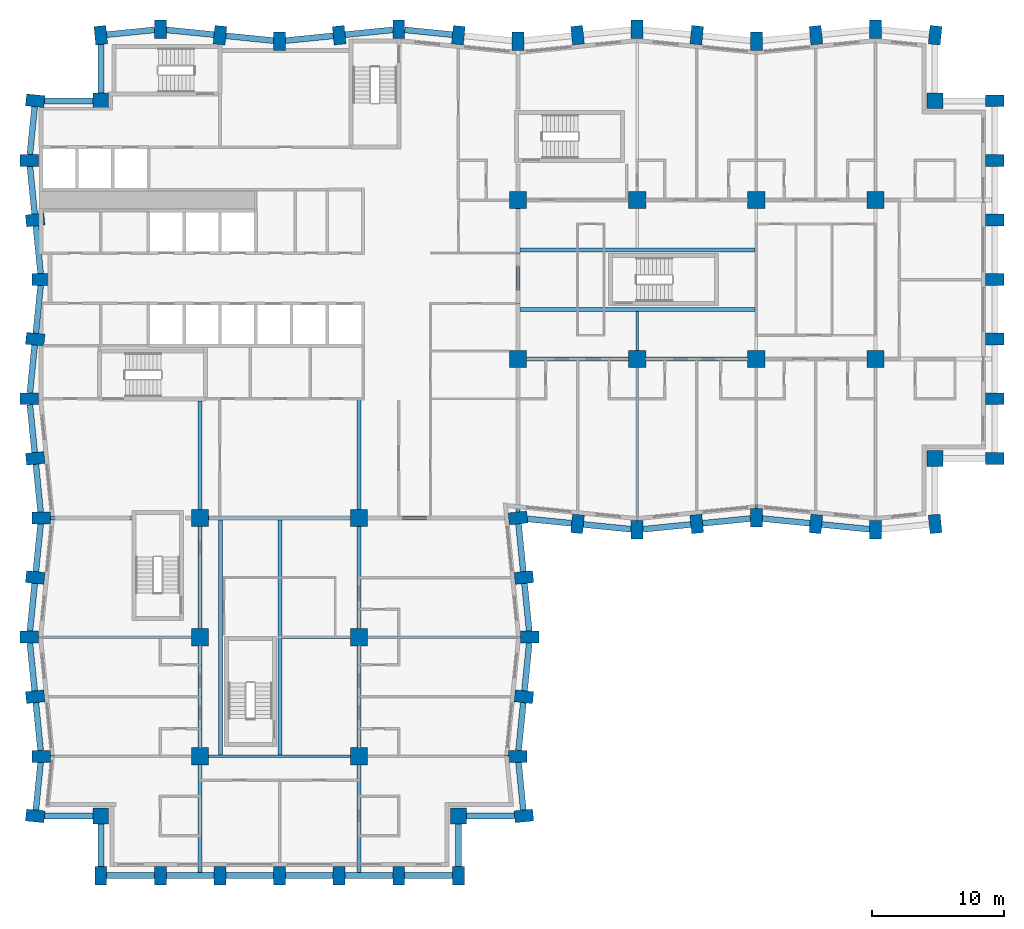
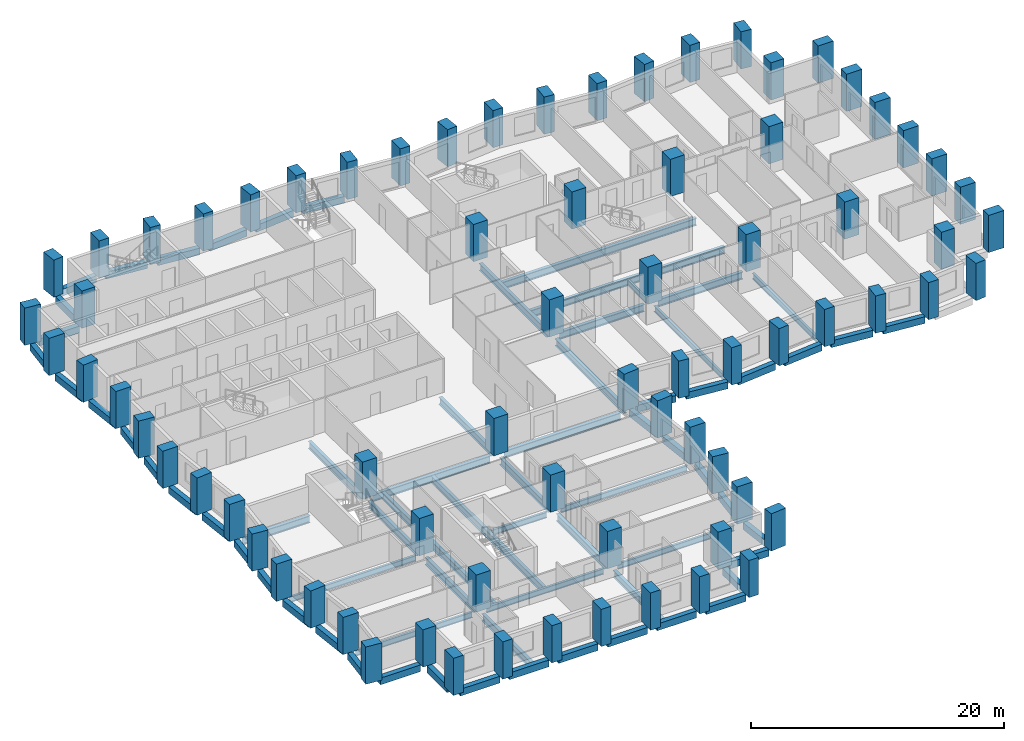
# One storey, part 1 of 13: 74 columns, 69 beams.
"""IFC4 building model written with IfcOpenShell, lengths in metres."""

from ifc_helpers import new_model, si_unit, direction, frame, origin, origin_2d, place, context, subcontext, project, spatial, rectangle, i_section, extrude, material, material_profile, profile_set, type_object, element, save


model = new_model("IFC4")

# Units and contexts
model_context = context("Model", 3, precision=1e-05, world=origin(), true_north=direction((0.0, 1.0)))
body_context = subcontext(model_context, "Body", "Model", "MODEL_VIEW")
ifc_project = project(units=[si_unit("LENGTHUNIT", "METRE"), si_unit("AREAUNIT", "SQUARE_METRE"), si_unit("VOLUMEUNIT", "CUBIC_METRE"), si_unit("PLANEANGLEUNIT", "RADIAN"), si_unit("MASSUNIT", "GRAM", prefix="KILO")], contexts=[model_context])

# Site, building, storey
site_placement = place(None, origin())
site = spatial("IfcSite", under=ifc_project, at=site_placement, CompositionType="ELEMENT")
building_placement = place(site_placement, origin())
building = spatial("IfcBuilding", under=site, at=building_placement, Name="Brondeck Convention Tower", CompositionType="ELEMENT")
storey_placement = place(building_placement, frame((0.0, 0.0, 44.699951171875)))
storey = spatial("IfcBuildingStorey", under=building, at=storey_placement, Name="L08", CompositionType="ELEMENT", Elevation=44.699951171875)

# Columns
ifc_material_1 = material(Name="Concrete C80/95", Category="concrete")
ifc_material_profile_1 = material_profile(ifc_material_1, rectangle(XDim=1.199951171875, YDim=1.199951171875, at=origin_2d()), Name="Corner column 1200x1200 Concrete C80/95")
ifc_profile_set_1 = profile_set([ifc_material_profile_1], Name="Concrete C80/95")
column_type_1 = type_object("IfcColumnType", Name="Corner column 1200x1200 Concrete C80/95", PredefinedType="COLUMN", material=ifc_profile_set_1)
for number, where, z_axis, x_axis, name in (
    (1, (4.5, 4.5, 0.0), (0.0, 0.0, 1.0), (1.0, 0.0, 0.0), "STR-COL-L08-NC-SWB0"),
    (2, (31.5, 4.5, 0.0), (0.0, 0.0, 1.0), (1.0, 0.0, 0.0), "STR-COL-L08-NC-SEB0"),
    (3, (67.5, 31.5, 0.0), (0.0, 0.0, 1.0), (1.0, 0.0, 0.0), "STR-COL-L08-NC-SEA72"),
    (4, (67.5, 58.5, 0.0), (0.0, 0.0, 1.0), (1.0, 0.0, 0.0), "STR-COL-L08-NC-NEA72"),
    (5, (4.5, 58.5, 0.0), (0.0, 0.0, 1.0), (1.0, 0.0, 0.0), "STR-COL-L08-NC-NW"),
):
    element("IfcColumn", number, at=place(storey_placement, frame(where, z_axis=z_axis, x_axis=x_axis)), inside=storey, type_object=column_type_1, Name=name, PredefinedType="COLUMN", context=body_context, shape_type="SweptSolid", body=[
        extrude(rectangle(XDim=1.199951171875, YDim=1.199951171875, at=origin_2d()), origin(), (0.0, 0.0, 1.0), 3.60009765625),
    ])
ifc_material_profile_2 = material_profile(ifc_material_1, rectangle(XDim=1.300048828125, YDim=1.300048828125, at=origin_2d()), Name="Interior column 1300x1300 Concrete C80/95")
ifc_profile_set_2 = profile_set([ifc_material_profile_2], Name="Concrete C80/95")
column_type_2 = type_object("IfcColumnType", Name="Interior column 1300x1300 Concrete C80/95", PredefinedType="COLUMN", material=ifc_profile_set_2)
for number, where, z_axis, x_axis, name in (
    (6, (12.0, 9.0, 0.0), (0.0, 0.0, 1.0), (1.0, 0.0, 0.0), "STR-COL-L08-IC-01"),
    (7, (12.0, 18.0, 0.0), (0.0, 0.0, 1.0), (1.0, 0.0, 0.0), "STR-COL-L08-IC-02"),
    (8, (12.0, 27.0, 0.0), (0.0, 0.0, 1.0), (1.0, 0.0, 0.0), "STR-COL-L08-IC-03"),
    (9, (24.0, 9.0, 0.0), (0.0, 0.0, 1.0), (1.0, 0.0, 0.0), "STR-COL-L08-IC-04"),
    (10, (24.0, 18.0, 0.0), (0.0, 0.0, 1.0), (1.0, 0.0, 0.0), "STR-COL-L08-IC-05"),
    (11, (24.0, 27.0, 0.0), (0.0, 0.0, 1.0), (1.0, 0.0, 0.0), "STR-COL-L08-IC-06"),
    (12, (36.0, 39.0, 0.0), (0.0, 0.0, 1.0), (1.0, 0.0, 0.0), "STR-COL-L08-IC-07"),
    (13, (36.0, 51.0, 0.0), (0.0, 0.0, 1.0), (1.0, 0.0, 0.0), "STR-COL-L08-IC-08"),
    (14, (45.0, 39.0, 0.0), (0.0, 0.0, 1.0), (1.0, 0.0, 0.0), "STR-COL-L08-IC-09"),
    (15, (45.0, 51.0, 0.0), (0.0, 0.0, 1.0), (1.0, 0.0, 0.0), "STR-COL-L08-IC-10"),
    (16, (54.0, 39.0, 0.0), (0.0, 0.0, 1.0), (1.0, 0.0, 0.0), "STR-COL-L08-IC-11"),
    (17, (54.0, 51.0, 0.0), (0.0, 0.0, 1.0), (1.0, 0.0, 0.0), "STR-COL-L08-IC-12"),
    (18, (63.0, 39.0, 0.0), (0.0, 0.0, 1.0), (1.0, 0.0, 0.0), "STR-COL-L08-IC-13"),
    (19, (63.0, 51.0, 0.0), (0.0, 0.0, 1.0), (1.0, 0.0, 0.0), "STR-COL-L08-IC-14"),
):
    element("IfcColumn", number, at=place(storey_placement, frame(where, z_axis=z_axis, x_axis=x_axis)), inside=storey, type_object=column_type_2, Name=name, PredefinedType="COLUMN", context=body_context, shape_type="SweptSolid", body=[
        extrude(rectangle(XDim=1.300048828125, YDim=1.300048828125, at=origin_2d()), origin(), (0.0, 0.0, 1.0), 3.60009765625),
    ])
ifc_material_profile_3 = material_profile(ifc_material_1, rectangle(XDim=0.89990234375, YDim=1.39990234375, at=origin_2d()), Name="Perimeter pier 900x1400 Concrete C80/95")
ifc_profile_set_3 = profile_set([ifc_material_profile_3], Name="Concrete C80/95")
column_type_3 = type_object("IfcColumnType", Name="Perimeter pier 900x1400 Concrete C80/95", PredefinedType="COLUMN", material=ifc_profile_set_3)
for number, where, z_axis, x_axis, name in (
    (20, (4.5, 0.0, 0.0), (0.0, 0.0, 1.0), (1.0, 0.0, 0.0), "STR-COL-L08-PC-B-S0-01"),
    (21, (9.0, 0.0, 0.0), (0.0, 0.0, 1.0), (1.0, 0.0, 0.0), "STR-COL-L08-PC-B-S0-02"),
    (22, (13.5, 0.0, 0.0), (0.0, 0.0, 1.0), (1.0, 0.0, 0.0), "STR-COL-L08-PC-B-S0-03"),
    (23, (18.0, 0.0, 0.0), (0.0, 0.0, 1.0), (1.0, 0.0, 0.0), "STR-COL-L08-PC-B-S0-04"),
    (24, (22.5, 0.0, 0.0), (0.0, 0.0, 1.0), (1.0, 0.0, 0.0), "STR-COL-L08-PC-B-S0-05"),
    (25, (27.0, 0.0, 0.0), (0.0, 0.0, 1.0), (1.0, 0.0, 0.0), "STR-COL-L08-PC-B-S0-06"),
    (26, (31.5, 0.0, 0.0), (0.0, 0.0, 1.0), (1.0, 0.0, 0.0), "STR-COL-L08-PC-B-S0-07"),
    (27, (36.449951171875, 4.5, 0.0), (0.0, 0.0, 1.0), (-0.0995038382, 0.995037178292, 0.0), "STR-COL-L08-PC-B-E-05"),
    (28, (36.0, 9.0, 0.0), (0.0, 0.0, 1.0), (0.0, 1.0, 0.0), "STR-COL-L08-PC-B-E-04"),
    (29, (36.449951171875, 13.5, 0.0), (0.0, 0.0, 1.0), (0.0995038382, 0.995037178292, 0.0), "STR-COL-L08-PC-B-E-03"),
    (30, (36.89990234375, 18.0, 0.0), (0.0, 0.0, 1.0), (0.0, 1.0, 0.0), "STR-COL-L08-PC-B-E-02"),
    (31, (36.449951171875, 22.5, 0.0), (0.0, 0.0, 1.0), (-0.0995038382, 0.995037178292, 0.0), "STR-COL-L08-PC-B-E-01"),
    (32, (36.0, 27.0, 0.0), (0.0, 0.0, 1.0), (-0.0995038382, 0.995037178292, 0.0), "STR-COL-L08-PC-B-E-00"),
    (33, (40.5, 26.550048828125, 0.0), (0.0, 0.0, 1.0), (0.995037178292, -0.0995038382, 0.0), "STR-COL-L08-PC-A-S-01"),
    (34, (45.0, 26.10009765625, 0.0), (0.0, 0.0, 1.0), (1.0, 0.0, 0.0), "STR-COL-L08-PC-A-S-02"),
    (35, (49.5, 26.550048828125, 0.0), (0.0, 0.0, 1.0), (0.995037178292, 0.0995038382, 0.0), "STR-COL-L08-PC-A-S-03"),
    (36, (54.0, 27.0, 0.0), (0.0, 0.0, 1.0), (1.0, 0.0, 0.0), "STR-COL-L08-PC-A-S-04"),
    (37, (58.5, 26.550048828125, 0.0), (0.0, 0.0, 1.0), (0.995037178292, -0.0995038382, 0.0), "STR-COL-L08-PC-A-S-05"),
    (38, (63.0, 26.10009765625, 0.0), (0.0, 0.0, 1.0), (1.0, 0.0, 0.0), "STR-COL-L08-PC-A-S-06"),
    (39, (67.5, 26.550048828125, 0.0), (0.0, 0.0, 1.0), (0.995037178292, 0.0995038382, 0.0), "STR-COL-L08-PC-A-S-07"),
    (40, (72.0, 31.5, 0.0), (0.0, 0.0, 1.0), (0.0, 1.0, 0.0), "STR-COL-L08-PC-A-E72-01"),
    (41, (72.0, 36.0, 0.0), (0.0, 0.0, 1.0), (0.0, 1.0, 0.0), "STR-COL-L08-PC-A-E72-02"),
    (42, (72.0, 40.5, 0.0), (0.0, 0.0, 1.0), (0.0, 1.0, 0.0), "STR-COL-L08-PC-A-E72-03"),
    (43, (72.0, 45.0, 0.0), (0.0, 0.0, 1.0), (0.0, 1.0, 0.0), "STR-COL-L08-PC-A-E72-04"),
    (44, (72.0, 49.5, 0.0), (0.0, 0.0, 1.0), (0.0, 1.0, 0.0), "STR-COL-L08-PC-A-E72-05"),
    (45, (72.0, 54.0, 0.0), (0.0, 0.0, 1.0), (0.0, 1.0, 0.0), "STR-COL-L08-PC-A-E72-06"),
    (46, (72.0, 58.5, 0.0), (0.0, 0.0, 1.0), (0.0, 1.0, 0.0), "STR-COL-L08-PC-A-E72-07"),
    (47, (67.5, 63.449951171875, 0.0), (0.0, 0.0, 1.0), (-0.995037178292, 0.0995038382, 0.0), "STR-COL-L08-PC-A-N-15"),
    (48, (63.0, 63.89990234375, 0.0), (0.0, 0.0, 1.0), (-1.0, 0.0, 0.0), "STR-COL-L08-PC-A-N-14"),
    (49, (58.5, 63.449951171875, 0.0), (0.0, 0.0, 1.0), (-0.995037178292, -0.0995038382, 0.0), "STR-COL-L08-PC-A-N-13"),
    (50, (54.0, 63.0, 0.0), (0.0, 0.0, 1.0), (-1.0, 0.0, 0.0), "STR-COL-L08-PC-A-N-12"),
    (51, (49.5, 63.449951171875, 0.0), (0.0, 0.0, 1.0), (-0.995037178292, 0.0995038382, 0.0), "STR-COL-L08-PC-A-N-11"),
    (52, (45.0, 63.89990234375, 0.0), (0.0, 0.0, 1.0), (-1.0, 0.0, 0.0), "STR-COL-L08-PC-A-N-10"),
    (53, (40.5, 63.449951171875, 0.0), (0.0, 0.0, 1.0), (-0.995037178292, -0.0995038382, 0.0), "STR-COL-L08-PC-A-N-09"),
    (54, (36.0, 63.0, 0.0), (0.0, 0.0, 1.0), (-1.0, 0.0, 0.0), "STR-COL-L08-PC-A-N-08"),
    (55, (31.5, 63.449951171875, 0.0), (0.0, 0.0, 1.0), (-0.995037178292, 0.0995038382, 0.0), "STR-COL-L08-PC-A-N-07"),
    (56, (27.0, 63.89990234375, 0.0), (0.0, 0.0, 1.0), (-1.0, 0.0, 0.0), "STR-COL-L08-PC-A-N-06"),
    (57, (22.5, 63.449951171875, 0.0), (0.0, 0.0, 1.0), (-0.995037178292, -0.0995038382, 0.0), "STR-COL-L08-PC-A-N-05"),
    (58, (18.0, 63.0, 0.0), (0.0, 0.0, 1.0), (-1.0, 0.0, 0.0), "STR-COL-L08-PC-A-N-04"),
    (59, (13.5, 63.449951171875, 0.0), (0.0, 0.0, 1.0), (-0.995037178292, 0.0995038382, 0.0), "STR-COL-L08-PC-A-N-03"),
    (60, (9.0, 63.89990234375, 0.0), (0.0, 0.0, 1.0), (-1.0, 0.0, 0.0), "STR-COL-L08-PC-A-N-02"),
    (61, (4.5, 63.449951171875, 0.0), (0.0, 0.0, 1.0), (-0.995037178292, -0.0995038382, 0.0), "STR-COL-L08-PC-A-N-01"),
    (62, (-0.449951171875, 58.5, 0.0), (0.0, 0.0, 1.0), (-0.0995038382, -0.995037178292, 0.0), "STR-COL-L08-PC-B-W-01"),
    (63, (-0.89990234375, 54.0, 0.0), (0.0, 0.0, 1.0), (0.0, -1.0, 0.0), "STR-COL-L08-PC-B-W-02"),
    (64, (-0.449951171875, 49.5, 0.0), (0.0, 0.0, 1.0), (0.0995038382, -0.995037178292, 0.0), "STR-COL-L08-PC-B-W-03"),
    (65, (0.0, 45.0, 0.0), (0.0, 0.0, 1.0), (0.0, -1.0, 0.0), "STR-COL-L08-PC-B-W-04"),
    (66, (-0.449951171875, 40.5, 0.0), (0.0, 0.0, 1.0), (-0.0995038382, -0.995037178292, 0.0), "STR-COL-L08-PC-B-W-05"),
    (67, (-0.89990234375, 36.0, 0.0), (0.0, 0.0, 1.0), (0.0, -1.0, 0.0), "STR-COL-L08-PC-B-W-06"),
    (68, (-0.449951171875, 31.5, 0.0), (0.0, 0.0, 1.0), (0.0995038382, -0.995037178292, 0.0), "STR-COL-L08-PC-B-W-07"),
    (69, (0.0, 27.0, 0.0), (0.0, 0.0, 1.0), (0.0, -1.0, 0.0), "STR-COL-L08-PC-B-W-08"),
    (70, (-0.449951171875, 22.5, 0.0), (0.0, 0.0, 1.0), (-0.0995038382, -0.995037178292, 0.0), "STR-COL-L08-PC-B-W-09"),
    (71, (-0.89990234375, 18.0, 0.0), (0.0, 0.0, 1.0), (0.0, -1.0, 0.0), "STR-COL-L08-PC-B-W-10"),
    (72, (-0.449951171875, 13.5, 0.0), (0.0, 0.0, 1.0), (0.0995038382, -0.995037178292, 0.0), "STR-COL-L08-PC-B-W-11"),
    (73, (0.0, 9.0, 0.0), (0.0, 0.0, 1.0), (0.0, -1.0, 0.0), "STR-COL-L08-PC-B-W-12"),
    (74, (-0.449951171875, 4.5, 0.0), (0.0, 0.0, 1.0), (-0.0995038382, -0.995037178292, 0.0), "STR-COL-L08-PC-B-W-13"),
):
    element("IfcColumn", number, at=place(storey_placement, frame(where, z_axis=z_axis, x_axis=x_axis)), inside=storey, type_object=column_type_3, Name=name, PredefinedType="COLUMN", context=body_context, shape_type="SweptSolid", body=[
        extrude(rectangle(XDim=0.89990234375, YDim=1.39990234375, at=origin_2d()), origin(), (0.0, 0.0, 1.0), 3.60009765625),
    ])

# Beams
ifc_material_2 = material(Name="Steel S355", Category="steel")
ifc_material_profile_4 = material_profile(ifc_material_2, i_section(OverallWidth=0.2099609375, OverallDepth=0.550048828125, WebThickness=0.010986328125, FlangeThickness=0.01708984375, FilletRadius=0.02392578125, at=origin_2d()), Name="IPE 550")
ifc_profile_set_4 = profile_set([ifc_material_profile_4], Name="Steel S355")
beam_type_1 = type_object("IfcBeamType", Name="Floor beam IPE 550", PredefinedType="BEAM", material=ifc_profile_set_4)
beam_1_placement = place(storey_placement, frame((45.0, 26.800048828125, -0.574951171875), z_axis=(0.0, 1.0, 0.0), x_axis=(-1.0, 0.0, 0.0)))
element("IfcBeam", 75, at=beam_1_placement, inside=storey, type_object=beam_type_1, Name="STR-FB-L08-001", PredefinedType="BEAM", context=body_context, shape_type="SweptSolid", body=[
    extrude(i_section(OverallWidth=0.2099609375, OverallDepth=0.550048828125, WebThickness=0.010986328125, FlangeThickness=0.01708984375, FilletRadius=0.02392578125, at=origin_2d()), origin(), (0.0, 0.0, 1.0), 11.550048828125),
])
for number, where, z_axis, x_axis, name in (
    (76, (54.0, 27.699951171875, -0.574951171875), (0.0, 1.0, 0.0), (-1.0, 0.0, 0.0), "STR-FB-L08-003"),
    (77, (0.699951171875, 9.0, -0.574951171875), (1.0, 0.0, 0.0), (0.0, 1.0, 0.0), "STR-FB-L08-009"),
):
    element("IfcBeam", number, at=place(storey_placement, frame(where, z_axis=z_axis, x_axis=x_axis)), inside=storey, type_object=beam_type_1, Name=name, PredefinedType="BEAM", context=body_context, shape_type="SweptSolid", body=[
        extrude(i_section(OverallWidth=0.2099609375, OverallDepth=0.550048828125, WebThickness=0.010986328125, FlangeThickness=0.01708984375, FilletRadius=0.02392578125, at=origin_2d()), origin(), (0.0, 0.0, 1.0), 10.650146484375),
    ])
beam_2_placement = place(storey_placement, frame((12.64990234375, 9.0, -0.574951171875), z_axis=(1.0, 0.0, 0.0), x_axis=(0.0, 1.0, 0.0)))
element("IfcBeam", 78, at=beam_2_placement, inside=storey, type_object=beam_type_1, Name="STR-FB-L08-010", PredefinedType="BEAM", context=body_context, shape_type="SweptSolid", body=[
    extrude(i_section(OverallWidth=0.2099609375, OverallDepth=0.550048828125, WebThickness=0.010986328125, FlangeThickness=0.01708984375, FilletRadius=0.02392578125, at=origin_2d()), origin(), (0.0, 0.0, 1.0), 10.7001953125),
])
beam_3_placement = place(storey_placement, frame((24.64990234375, 9.0, -0.574951171875), z_axis=(1.0, 0.0, 0.0), x_axis=(0.0, 1.0, 0.0)))
element("IfcBeam", 79, at=beam_3_placement, inside=storey, type_object=beam_type_1, Name="STR-FB-L08-011", PredefinedType="BEAM", context=body_context, shape_type="SweptSolid", body=[
    extrude(i_section(OverallWidth=0.2099609375, OverallDepth=0.550048828125, WebThickness=0.010986328125, FlangeThickness=0.01708984375, FilletRadius=0.02392578125, at=origin_2d()), origin(), (0.0, 0.0, 1.0), 10.650146484375),
])
for number, where, z_axis, x_axis, name in (
    (80, (-0.199951171875, 18.0, -0.574951171875), (1.0, 0.0, 0.0), (0.0, 1.0, 0.0), "STR-FB-L08-012"),
    (81, (24.64990234375, 18.0, -0.574951171875), (1.0, 0.0, 0.0), (0.0, 1.0, 0.0), "STR-FB-L08-013"),
):
    element("IfcBeam", number, at=place(storey_placement, frame(where, z_axis=z_axis, x_axis=x_axis)), inside=storey, type_object=beam_type_1, Name=name, PredefinedType="BEAM", context=body_context, shape_type="SweptSolid", body=[
        extrude(i_section(OverallWidth=0.2099609375, OverallDepth=0.550048828125, WebThickness=0.010986328125, FlangeThickness=0.01708984375, FilletRadius=0.02392578125, at=origin_2d()), origin(), (0.0, 0.0, 1.0), 11.550048828125),
    ])
beam_4_placement = place(storey_placement, frame((45.0, 39.64990234375, -0.574951171875), z_axis=(0.0, 1.0, 0.0), x_axis=(-1.0, 0.0, 0.0)))
element("IfcBeam", 82, at=beam_4_placement, inside=storey, type_object=beam_type_1, Name="STR-FB-L08-014", PredefinedType="BEAM", context=body_context, shape_type="SweptSolid", body=[
    extrude(i_section(OverallWidth=0.2099609375, OverallDepth=0.550048828125, WebThickness=0.010986328125, FlangeThickness=0.01708984375, FilletRadius=0.02392578125, at=origin_2d()), origin(), (0.0, 0.0, 1.0), 2.9501953125),
])
beam_5_placement = place(storey_placement, frame((18.199951171875, 18.0, -0.574951171875), z_axis=(1.0, 0.0, 0.0), x_axis=(0.0, 1.0, 0.0)))
element("IfcBeam", 83, at=beam_5_placement, inside=storey, type_object=beam_type_1, Name="STR-FB-L08-016", PredefinedType="BEAM", context=body_context, shape_type="SweptSolid", body=[
    extrude(i_section(OverallWidth=0.2099609375, OverallDepth=0.550048828125, WebThickness=0.010986328125, FlangeThickness=0.01708984375, FilletRadius=0.02392578125, at=origin_2d()), origin(), (0.0, 0.0, 1.0), 5.150146484375),
])
ifc_material_profile_5 = material_profile(ifc_material_2, i_section(OverallWidth=0.300048828125, OverallDepth=0.699951171875, WebThickness=0.01708984375, FlangeThickness=0.031982421875, FilletRadius=0.027099609375, at=origin_2d()), Name="HEB 700")
ifc_profile_set_5 = profile_set([ifc_material_profile_5], Name="Steel S355")
beam_type_2 = type_object("IfcBeamType", Name="Girder HEB 700", PredefinedType="BEAM", material=ifc_profile_set_5)
for number, where, z_axis, x_axis, name in (
    (84, (36.64990234375, 39.0, -0.64990234375), (1.0, 0.0, 0.0), (0.0, 1.0, 0.0), "STR-GR-L08-001"),
    (85, (45.64990234375, 39.0, -0.64990234375), (1.0, 0.0, 0.0), (0.0, 1.0, 0.0), "STR-GR-L08-002"),
):
    element("IfcBeam", number, at=place(storey_placement, frame(where, z_axis=z_axis, x_axis=x_axis)), inside=storey, type_object=beam_type_2, Name=name, PredefinedType="BEAM", context=body_context, shape_type="SweptSolid", body=[
        extrude(i_section(OverallWidth=0.300048828125, OverallDepth=0.699951171875, WebThickness=0.01708984375, FlangeThickness=0.031982421875, FilletRadius=0.027099609375, at=origin_2d()), origin(), (0.0, 0.0, 1.0), 7.7001953125),
    ])
beam_6_placement = place(storey_placement, frame((36.0, 27.4521484375, -0.64990234375), z_axis=(0.0, 1.0, 0.0), x_axis=(-1.0, 0.0, 0.0)))
element("IfcBeam", 86, at=beam_6_placement, inside=storey, type_object=beam_type_2, Name="STR-GR-L08-009", PredefinedType="BEAM", context=body_context, shape_type="SweptSolid", body=[
    extrude(i_section(OverallWidth=0.300048828125, OverallDepth=0.699951171875, WebThickness=0.01708984375, FlangeThickness=0.031982421875, FilletRadius=0.027099609375, at=origin_2d()), origin(), (0.0, 0.0, 1.0), 10.89794921875),
])
beam_7_placement = place(storey_placement, frame((36.0, 39.64990234375, -0.64990234375), z_axis=(0.0, 1.0, 0.0), x_axis=(-1.0, 0.0, 0.0)))
element("IfcBeam", 87, at=beam_7_placement, inside=storey, type_object=beam_type_2, Name="STR-GR-L08-010", PredefinedType="BEAM", context=body_context, shape_type="SweptSolid", body=[
    extrude(i_section(OverallWidth=0.300048828125, OverallDepth=0.699951171875, WebThickness=0.01708984375, FlangeThickness=0.031982421875, FilletRadius=0.027099609375, at=origin_2d()), origin(), (0.0, 0.0, 1.0), 10.7001953125),
])
beam_8_placement = place(storey_placement, frame((12.0, 35.85009765625, -0.64990234375), z_axis=(0.0, -1.0, 0.0), x_axis=(1.0, 0.0, 0.0)))
element("IfcBeam", 88, at=beam_8_placement, inside=storey, type_object=beam_type_2, Name="STR-GR-L08-013", PredefinedType="BEAM", context=body_context, shape_type="SweptSolid", body=[
    extrude(i_section(OverallWidth=0.300048828125, OverallDepth=0.699951171875, WebThickness=0.01708984375, FlangeThickness=0.031982421875, FilletRadius=0.027099609375, at=origin_2d()), origin(), (0.0, 0.0, 1.0), 8.2001953125),
])
for number, where, z_axis, x_axis, name in (
    (89, (12.0, 26.35009765625, -0.64990234375), (0.0, -1.0, 0.0), (1.0, 0.0, 0.0), "STR-GR-L08-014"),
    (90, (12.0, 17.35009765625, -0.64990234375), (0.0, -1.0, 0.0), (1.0, 0.0, 0.0), "STR-GR-L08-015"),
):
    element("IfcBeam", number, at=place(storey_placement, frame(where, z_axis=z_axis, x_axis=x_axis)), inside=storey, type_object=beam_type_2, Name=name, PredefinedType="BEAM", context=body_context, shape_type="SweptSolid", body=[
        extrude(i_section(OverallWidth=0.300048828125, OverallDepth=0.699951171875, WebThickness=0.01708984375, FlangeThickness=0.031982421875, FilletRadius=0.027099609375, at=origin_2d()), origin(), (0.0, 0.0, 1.0), 7.7001953125),
    ])
beam_9_placement = place(storey_placement, frame((12.0, 8.35009765625, -0.64990234375), z_axis=(0.0, -1.0, 0.0), x_axis=(1.0, 0.0, 0.0)))
element("IfcBeam", 91, at=beam_9_placement, inside=storey, type_object=beam_type_2, Name="STR-GR-L08-016", PredefinedType="BEAM", context=body_context, shape_type="SweptSolid", body=[
    extrude(i_section(OverallWidth=0.300048828125, OverallDepth=0.699951171875, WebThickness=0.01708984375, FlangeThickness=0.031982421875, FilletRadius=0.027099609375, at=origin_2d()), origin(), (0.0, 0.0, 1.0), 8.125),
])
beam_10_placement = place(storey_placement, frame((24.0, 35.955078125, -0.64990234375), z_axis=(0.0, -1.0, 0.0), x_axis=(1.0, 0.0, 0.0)))
element("IfcBeam", 92, at=beam_10_placement, inside=storey, type_object=beam_type_2, Name="STR-GR-L08-017", PredefinedType="BEAM", context=body_context, shape_type="SweptSolid", body=[
    extrude(i_section(OverallWidth=0.300048828125, OverallDepth=0.699951171875, WebThickness=0.01708984375, FlangeThickness=0.031982421875, FilletRadius=0.027099609375, at=origin_2d()), origin(), (0.0, 0.0, 1.0), 8.30517578125),
])
for number, where, z_axis, x_axis, name in (
    (93, (24.0, 26.35009765625, -0.64990234375), (0.0, -1.0, 0.0), (1.0, 0.0, 0.0), "STR-GR-L08-018"),
    (94, (24.0, 17.35009765625, -0.64990234375), (0.0, -1.0, 0.0), (1.0, 0.0, 0.0), "STR-GR-L08-019"),
):
    element("IfcBeam", number, at=place(storey_placement, frame(where, z_axis=z_axis, x_axis=x_axis)), inside=storey, type_object=beam_type_2, Name=name, PredefinedType="BEAM", context=body_context, shape_type="SweptSolid", body=[
        extrude(i_section(OverallWidth=0.300048828125, OverallDepth=0.699951171875, WebThickness=0.01708984375, FlangeThickness=0.031982421875, FilletRadius=0.027099609375, at=origin_2d()), origin(), (0.0, 0.0, 1.0), 7.7001953125),
    ])
beam_11_placement = place(storey_placement, frame((24.0, 8.35009765625, -0.64990234375), z_axis=(0.0, -1.0, 0.0), x_axis=(1.0, 0.0, 0.0)))
element("IfcBeam", 95, at=beam_11_placement, inside=storey, type_object=beam_type_2, Name="STR-GR-L08-020", PredefinedType="BEAM", context=body_context, shape_type="SweptSolid", body=[
    extrude(i_section(OverallWidth=0.300048828125, OverallDepth=0.699951171875, WebThickness=0.01708984375, FlangeThickness=0.031982421875, FilletRadius=0.027099609375, at=origin_2d()), origin(), (0.0, 0.0, 1.0), 8.125),
])
beam_12_placement = place(storey_placement, frame((0.699951171875, 27.0, -0.64990234375), z_axis=(1.0, 0.0, 0.0), x_axis=(0.0, 1.0, 0.0)))
element("IfcBeam", 96, at=beam_12_placement, inside=storey, type_object=beam_type_2, Name="STR-GR-L08-021", PredefinedType="BEAM", context=body_context, shape_type="SweptSolid", body=[
    extrude(i_section(OverallWidth=0.300048828125, OverallDepth=0.699951171875, WebThickness=0.01708984375, FlangeThickness=0.031982421875, FilletRadius=0.027099609375, at=origin_2d()), origin(), (0.0, 0.0, 1.0), 6.179931640625),
])
beam_13_placement = place(storey_placement, frame((12.64990234375, 27.0, -0.64990234375), z_axis=(1.0, 0.0, 0.0), x_axis=(0.0, 1.0, 0.0)))
element("IfcBeam", 97, at=beam_13_placement, inside=storey, type_object=beam_type_2, Name="STR-GR-L08-022", PredefinedType="BEAM", context=body_context, shape_type="SweptSolid", body=[
    extrude(i_section(OverallWidth=0.300048828125, OverallDepth=0.699951171875, WebThickness=0.01708984375, FlangeThickness=0.031982421875, FilletRadius=0.027099609375, at=origin_2d()), origin(), (0.0, 0.0, 1.0), 10.7001953125),
])
beam_14_placement = place(storey_placement, frame((24.64990234375, 27.0, -0.64990234375), z_axis=(1.0, 0.0, 0.0), x_axis=(0.0, 1.0, 0.0)))
element("IfcBeam", 98, at=beam_14_placement, inside=storey, type_object=beam_type_2, Name="STR-GR-L08-023", PredefinedType="BEAM", context=body_context, shape_type="SweptSolid", body=[
    extrude(i_section(OverallWidth=0.300048828125, OverallDepth=0.699951171875, WebThickness=0.01708984375, FlangeThickness=0.031982421875, FilletRadius=0.027099609375, at=origin_2d()), origin(), (0.0, 0.0, 1.0), 10.646484375),
])
for number, where, z_axis, x_axis, name in (
    (99, (36.14990234375, 42.75, -0.64990234375), (1.0, 0.0, 0.0), (0.0, 1.0, 0.0), "STR-GR-L08-024"),
    (100, (36.14990234375, 47.25, -0.64990234375), (1.0, 0.0, 0.0), (0.0, 1.0, 0.0), "STR-GR-L08-025"),
    (101, (13.550048828125, 9.10498046875, -0.64990234375), (0.0, 1.0, 0.0), (-1.0, 0.0, 0.0), "STR-GR-L08-026"),
    (102, (18.050048828125, 9.10498046875, -0.64990234375), (0.0, 1.0, 0.0), (-1.0, 0.0, 0.0), "STR-GR-L08-027"),
):
    element("IfcBeam", number, at=place(storey_placement, frame(where, z_axis=z_axis, x_axis=x_axis)), inside=storey, type_object=beam_type_2, Name=name, PredefinedType="BEAM", context=body_context, shape_type="SweptSolid", body=[
        extrude(i_section(OverallWidth=0.300048828125, OverallDepth=0.699951171875, WebThickness=0.01708984375, FlangeThickness=0.031982421875, FilletRadius=0.027099609375, at=origin_2d()), origin(), (0.0, 0.0, 1.0), 17.7451171875),
    ])
ifc_material_profile_6 = material_profile(ifc_material_1, rectangle(XDim=0.449951171875, YDim=0.64990234375, at=origin_2d()), Name="Precast spandrel 450x650 Concrete C80/95")
ifc_profile_set_6 = profile_set([ifc_material_profile_6], Name="Concrete C80/95")
beam_type_3 = type_object("IfcBeamType", Name="Precast spandrel 450x650 Concrete C80/95", PredefinedType="SPANDREL", material=ifc_profile_set_6)
for number, where, z_axis, x_axis, name in (
    (103, (4.949951171875, 0.0, -0.324951171875), (1.0, 0.0, 0.0), (0.0, 1.0, 0.0), "STR-SP-L08-001"),
    (104, (9.449951171875, 0.0, -0.324951171875), (1.0, 0.0, 0.0), (0.0, 1.0, 0.0), "STR-SP-L08-002"),
    (105, (13.949951171875, 0.0, -0.324951171875), (1.0, 0.0, 0.0), (0.0, 1.0, 0.0), "STR-SP-L08-003"),
    (106, (18.449951171875, 0.0, -0.324951171875), (1.0, 0.0, 0.0), (0.0, 1.0, 0.0), "STR-SP-L08-004"),
    (107, (22.949951171875, 0.0, -0.324951171875), (1.0, 0.0, 0.0), (0.0, 1.0, 0.0), "STR-SP-L08-005"),
    (108, (27.449951171875, 0.0, -0.324951171875), (1.0, 0.0, 0.0), (0.0, 1.0, 0.0), "STR-SP-L08-006"),
):
    element("IfcBeam", number, at=place(storey_placement, frame(where, z_axis=z_axis, x_axis=x_axis)), inside=storey, type_object=beam_type_3, Name=name, PredefinedType="SPANDREL", context=body_context, shape_type="SweptSolid", body=[
        extrude(rectangle(XDim=0.449951171875, YDim=0.64990234375, at=origin_2d()), origin(), (0.0, 0.0, 1.0), 3.60009765625),
    ])
beam_15_placement = place(storey_placement, frame((31.5, 0.699951171875, -0.324951171875), z_axis=(0.0, 1.0, 0.0), x_axis=(-1.0, 0.0, 0.0)))
element("IfcBeam", 109, at=beam_15_placement, inside=storey, type_object=beam_type_3, Name="STR-SP-L08-007", PredefinedType="SPANDREL", context=body_context, shape_type="SweptSolid", body=[
    extrude(rectangle(XDim=0.449951171875, YDim=0.64990234375, at=origin_2d()), origin(), (0.0, 0.0, 1.0), 3.199951171875),
])
beam_16_placement = place(storey_placement, frame((32.10009765625, 4.5, -0.324951171875), z_axis=(1.0, 0.0, 0.0), x_axis=(0.0, 1.0, 0.0)))
element("IfcBeam", 110, at=beam_16_placement, inside=storey, type_object=beam_type_3, Name="STR-SP-L08-008", PredefinedType="SPANDREL", context=body_context, shape_type="SweptSolid", body=[
    extrude(rectangle(XDim=0.449951171875, YDim=0.64990234375, at=origin_2d()), origin(), (0.0, 0.0, 1.0), 3.646484375),
])
for number, where, z_axis, x_axis, name in (
    (111, (36.4052734375, 4.94775390625, -0.324951171875), (-0.099537103649, 0.995033851182, 0.0), (-0.995033851182, -0.099537103649, 0.0), "STR-SP-L08-009"),
    (112, (36.044921875, 9.449951171875, -0.324951171875), (0.099537103649, 0.995033851182, 0.0), (-0.995033851182, 0.099537103649, 0.0), "STR-SP-L08-010"),
    (113, (36.494873046875, 13.94775390625, -0.324951171875), (0.099470334057, 0.995040528141, 0.0), (-0.995040528141, 0.099470334057, 0.0), "STR-SP-L08-011"),
    (114, (36.85498046875, 18.449951171875, -0.324951171875), (-0.099470334057, 0.995040528141, 0.0), (-0.995040528141, -0.099470334057, 0.0), "STR-SP-L08-012"),
):
    element("IfcBeam", number, at=place(storey_placement, frame(where, z_axis=z_axis, x_axis=x_axis)), inside=storey, type_object=beam_type_3, Name=name, PredefinedType="SPANDREL", context=body_context, shape_type="SweptSolid", body=[
        extrude(rectangle(XDim=0.449951171875, YDim=0.64990234375, at=origin_2d()), origin(), (0.0, 0.0, 1.0), 3.620361328125),
    ])
beam_17_placement = place(storey_placement, frame((36.4052734375, 22.94775390625, -0.324951171875), z_axis=(-0.099543756114, 0.995033185687, 0.0), x_axis=(-0.995033185687, -0.099543756114, 0.0)))
element("IfcBeam", 115, at=beam_17_placement, inside=storey, type_object=beam_type_3, Name="STR-SP-L08-013", PredefinedType="SPANDREL", context=body_context, shape_type="SweptSolid", body=[
    extrude(rectangle(XDim=0.449951171875, YDim=0.64990234375, at=origin_2d()), origin(), (0.0, 0.0, 1.0), 3.62255859375),
])
beam_18_placement = place(storey_placement, frame((36.710693359375, 26.928955078125, -0.324951171875), z_axis=(0.995035030591, -0.099525312843, 0.0), x_axis=(0.099525312843, 0.995035030591, 0.0)))
element("IfcBeam", 116, at=beam_18_placement, inside=storey, type_object=beam_type_3, Name="STR-SP-L08-014", PredefinedType="SPANDREL", context=body_context, shape_type="SweptSolid", body=[
    extrude(rectangle(XDim=0.449951171875, YDim=0.64990234375, at=origin_2d()), origin(), (0.0, 0.0, 1.0), 3.358154296875),
])
for number, where, z_axis, x_axis, name in (
    (117, (40.94775390625, 26.505126953125, -0.324951171875), (0.995040528141, -0.099470334057, 0.0), (0.099470334057, 0.995040528141, 0.0), "STR-SP-L08-015"),
    (118, (45.449951171875, 26.14501953125, -0.324951171875), (0.995040528141, 0.099470334057, 0.0), (-0.099470334057, 0.995040528141, 0.0), "STR-SP-L08-016"),
    (119, (49.94775390625, 26.5947265625, -0.324951171875), (0.995033851182, 0.099537103649, 0.0), (-0.099537103649, 0.995033851182, 0.0), "STR-SP-L08-017"),
    (120, (54.449951171875, 26.955078125, -0.324951171875), (0.995033851182, -0.099537103649, 0.0), (0.099537103649, 0.995033851182, 0.0), "STR-SP-L08-018"),
    (121, (58.94775390625, 26.505126953125, -0.324951171875), (0.995040528141, -0.099470334057, 0.0), (0.099470334057, 0.995040528141, 0.0), "STR-SP-L08-019"),
    (122, (31.05224609375, 63.494873046875, -0.324951171875), (-0.995040528141, 0.099470334057, 0.0), (-0.099470334057, -0.995040528141, 0.0), "STR-SP-L08-039"),
    (123, (26.550048828125, 63.85498046875, -0.324951171875), (-0.995040528141, -0.099470334057, 0.0), (0.099470334057, -0.995040528141, 0.0), "STR-SP-L08-040"),
    (124, (22.05224609375, 63.4052734375, -0.324951171875), (-0.995033851182, -0.099537103649, 0.0), (0.099537103649, -0.995033851182, 0.0), "STR-SP-L08-041"),
    (125, (17.550048828125, 63.044921875, -0.324951171875), (-0.995033851182, 0.099537103649, 0.0), (-0.099537103649, -0.995033851182, 0.0), "STR-SP-L08-042"),
    (126, (13.05224609375, 63.494873046875, -0.324951171875), (-0.995040528141, 0.099470334057, 0.0), (-0.099470334057, -0.995040528141, 0.0), "STR-SP-L08-043"),
    (127, (8.550048828125, 63.85498046875, -0.324951171875), (-0.995040528141, -0.099470334057, 0.0), (0.099470334057, -0.995040528141, 0.0), "STR-SP-L08-044"),
):
    element("IfcBeam", number, at=place(storey_placement, frame(where, z_axis=z_axis, x_axis=x_axis)), inside=storey, type_object=beam_type_3, Name=name, PredefinedType="SPANDREL", context=body_context, shape_type="SweptSolid", body=[
        extrude(rectangle(XDim=0.449951171875, YDim=0.64990234375, at=origin_2d()), origin(), (0.0, 0.0, 1.0), 3.620361328125),
    ])
for number, where, z_axis, x_axis, name in (
    (128, (4.5, 62.74658203125, -0.324951171875), (0.0, -1.0, 0.0), (1.0, 0.0, 0.0), "STR-SP-L08-045"),
    (129, (3.89990234375, 58.5, -0.324951171875), (-1.0, 0.0, 0.0), (0.0, -1.0, 0.0), "STR-SP-L08-046"),
):
    element("IfcBeam", number, at=place(storey_placement, frame(where, z_axis=z_axis, x_axis=x_axis)), inside=storey, type_object=beam_type_3, Name=name, PredefinedType="SPANDREL", context=body_context, shape_type="SweptSolid", body=[
        extrude(rectangle(XDim=0.449951171875, YDim=0.64990234375, at=origin_2d()), origin(), (0.0, 0.0, 1.0), 3.646484375),
    ])
for number, where, z_axis, x_axis, name in (
    (130, (-0.494873046875, 58.05224609375, -0.324951171875), (-0.099470334057, -0.995040528141, 0.0), (0.995040528141, -0.099470334057, 0.0), "STR-SP-L08-047"),
    (131, (-0.85498046875, 53.550048828125, -0.324951171875), (0.099470334057, -0.995040528141, 0.0), (0.995040528141, 0.099470334057, 0.0), "STR-SP-L08-048"),
    (132, (-0.4052734375, 49.05224609375, -0.324951171875), (0.099537103649, -0.995033851182, 0.0), (0.995033851182, 0.099537103649, 0.0), "STR-SP-L08-049"),
    (133, (-0.044921875, 44.550048828125, -0.324951171875), (-0.099537103649, -0.995033851182, 0.0), (0.995033851182, -0.099537103649, 0.0), "STR-SP-L08-050"),
    (134, (-0.494873046875, 40.05224609375, -0.324951171875), (-0.099470334057, -0.995040528141, 0.0), (0.995040528141, -0.099470334057, 0.0), "STR-SP-L08-051"),
    (135, (-0.85498046875, 35.550048828125, -0.324951171875), (0.099470334057, -0.995040528141, 0.0), (0.995040528141, 0.099470334057, 0.0), "STR-SP-L08-052"),
    (136, (-0.4052734375, 31.05224609375, -0.324951171875), (0.099537103649, -0.995033851182, 0.0), (0.995033851182, 0.099537103649, 0.0), "STR-SP-L08-053"),
    (137, (-0.044921875, 26.550048828125, -0.324951171875), (-0.099537103649, -0.995033851182, 0.0), (0.995033851182, -0.099537103649, 0.0), "STR-SP-L08-054"),
    (138, (-0.494873046875, 22.05224609375, -0.324951171875), (-0.099470334057, -0.995040528141, 0.0), (0.995040528141, -0.099470334057, 0.0), "STR-SP-L08-055"),
    (139, (-0.85498046875, 17.550048828125, -0.324951171875), (0.099470334057, -0.995040528141, 0.0), (0.995040528141, 0.099470334057, 0.0), "STR-SP-L08-056"),
    (140, (-0.4052734375, 13.05224609375, -0.324951171875), (0.099537103649, -0.995033851182, 0.0), (0.995033851182, 0.099537103649, 0.0), "STR-SP-L08-057"),
    (141, (-0.044921875, 8.550048828125, -0.324951171875), (-0.099537103649, -0.995033851182, 0.0), (0.995033851182, -0.099537103649, 0.0), "STR-SP-L08-058"),
):
    element("IfcBeam", number, at=place(storey_placement, frame(where, z_axis=z_axis, x_axis=x_axis)), inside=storey, type_object=beam_type_3, Name=name, PredefinedType="SPANDREL", context=body_context, shape_type="SweptSolid", body=[
        extrude(rectangle(XDim=0.449951171875, YDim=0.64990234375, at=origin_2d()), origin(), (0.0, 0.0, 1.0), 3.620361328125),
    ])
beam_19_placement = place(storey_placement, frame((0.25341796875, 4.5, -0.324951171875), z_axis=(1.0, 0.0, 0.0), x_axis=(0.0, 1.0, 0.0)))
element("IfcBeam", 142, at=beam_19_placement, inside=storey, type_object=beam_type_3, Name="STR-SP-L08-059", PredefinedType="SPANDREL", context=body_context, shape_type="SweptSolid", body=[
    extrude(rectangle(XDim=0.449951171875, YDim=0.64990234375, at=origin_2d()), origin(), (0.0, 0.0, 1.0), 3.646484375),
])
beam_20_placement = place(storey_placement, frame((4.5, 3.89990234375, -0.324951171875), z_axis=(0.0, -1.0, 0.0), x_axis=(1.0, 0.0, 0.0)))
element("IfcBeam", 143, at=beam_20_placement, inside=storey, type_object=beam_type_3, Name="STR-SP-L08-060", PredefinedType="SPANDREL", context=body_context, shape_type="SweptSolid", body=[
    extrude(rectangle(XDim=0.449951171875, YDim=0.64990234375, at=origin_2d()), origin(), (0.0, 0.0, 1.0), 3.199951171875),
])

save(model, "model.ifc")
